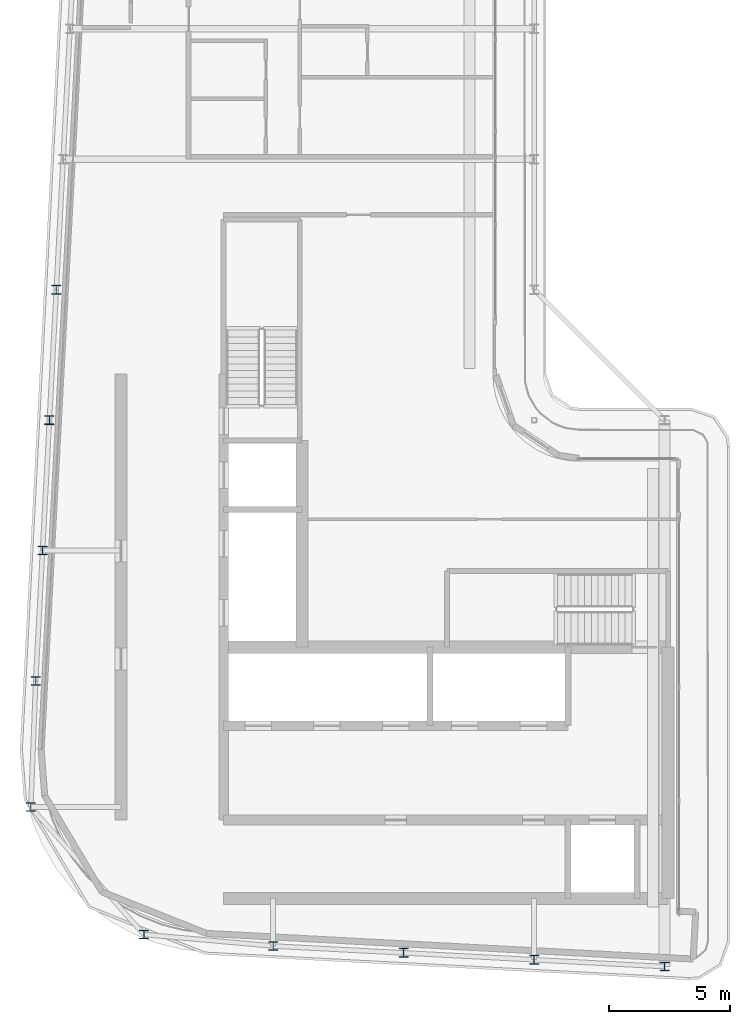
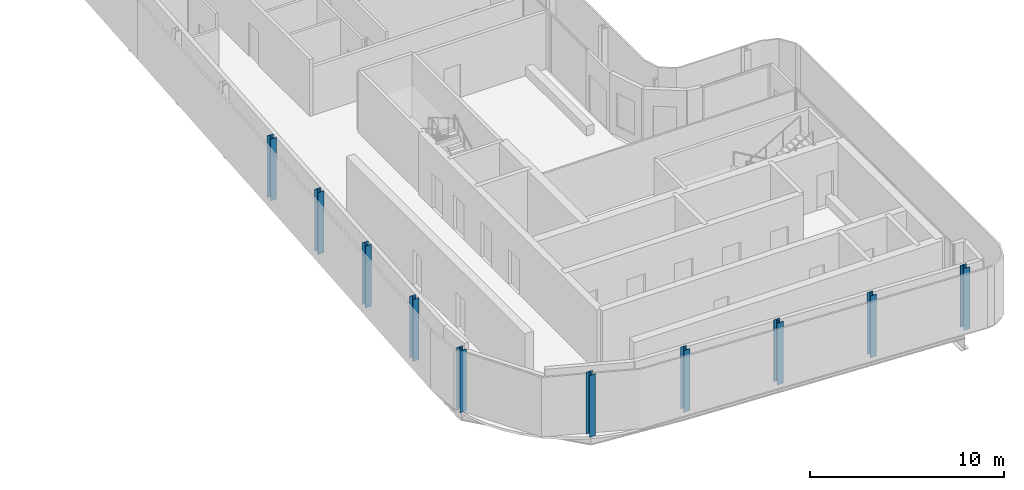
# One storey, part 1 of 18: 10 columns.
"""IFC4 building model written with IfcOpenShell, lengths in metres."""

import ifcopenshell
import ifcopenshell.guid

model = None  # the IFC model being written
_history = None  # IfcOwnerHistory: only IFC2X3 demands one
_inside = {}  # id of a spatial element -> (the spatial element, [elements in it])
_under = {}  # id of a project, library or spatial element -> (it, [spatial elements below it])
_declared = {}  # id of a project -> (the project, [libraries it declares])
_typed = {}  # id of a type object -> (the type object, [elements of that type])
_made_of = {}  # id of a material, layer set ... -> (it, [elements and type objects made of it])


def new_model(schema):
    """Start an empty IFC model of exactly this schema.

    Asked for "IFC4X3", IfcOpenShell would pick the latest addendum, in which some entities
    have other attributes; the version numbers below select the first issue.
    IFC2X3 requires an IfcOwnerHistory on every rooted entity: one is made here for all.
    """
    global model, _history
    if schema == "IFC4X3":
        model = ifcopenshell.file(schema_version=(4, 3, 0, 0))
    else:
        model = ifcopenshell.file(schema=schema)
    _inside.clear()
    _under.clear()
    _declared.clear()
    _typed.clear()
    _made_of.clear()
    _history = None
    if model.schema == "IFC2X3":
        org = make("IfcOrganization", Name="unknown")
        user = make(
            "IfcPersonAndOrganization",
            ThePerson=make("IfcPerson", FamilyName="unknown"),
            TheOrganization=org,
        )
        app = make(
            "IfcApplication",
            ApplicationDeveloper=org,
            Version="unknown",
            ApplicationFullName="unknown",
            ApplicationIdentifier="unknown",
        )
        _history = make(
            "IfcOwnerHistory",
            OwningUser=user,
            OwningApplication=app,
            ChangeAction="ADDED",
            CreationDate=0,
        )
    return model


def make(cls, **values):
    """One entity of the class cls with the attributes given. An attribute that is None is left unset."""
    return model.create_entity(
        cls, **{name: value for name, value in values.items() if value is not None}
    )


def rooted(cls, **values):
    """An entity with a GlobalId (a new one), such as an element, a storey or a relation."""
    return make(cls, GlobalId=ifcopenshell.guid.new(), OwnerHistory=_history, **values)


def si_unit(unit_type, name, prefix=None):
    """IfcSIUnit, for example si_unit("LENGTHUNIT", "METRE", prefix="MILLI")."""
    return make("IfcSIUnit", UnitType=unit_type, Prefix=prefix, Name=name)


def assignment(units):
    """IfcUnitAssignment: the units of a project."""
    return None if units is None else make("IfcUnitAssignment", Units=units)


def point(xyz):
    """IfcCartesianPoint."""
    return None if xyz is None else make("IfcCartesianPoint", Coordinates=xyz)


def direction(xyz):
    """IfcDirection."""
    return None if xyz is None else make("IfcDirection", DirectionRatios=xyz)


def frame(location, z_axis=None, x_axis=None):
    """IfcAxis2Placement3D, a coordinate frame: its origin and axes. An axis left out is left unset."""
    return make(
        "IfcAxis2Placement3D",
        Location=point(location),
        Axis=direction(z_axis),
        RefDirection=direction(x_axis),
    )


def frame_2d(location, x_axis=None):
    """IfcAxis2Placement2D, a coordinate frame in the plane: its origin and x axis."""
    return make(
        "IfcAxis2Placement2D", Location=point(location), RefDirection=direction(x_axis)
    )


def origin():
    """The frame at (0, 0, 0) with its axes left unset."""
    return frame((0.0, 0.0, 0.0))


def origin_2d():
    """The frame at (0, 0) in the plane with its x axis left unset."""
    return frame_2d((0.0, 0.0))


def place(relative_to, where):
    """IfcLocalPlacement: puts the frame where relative to a parent placement (None: the world)."""
    return make(
        "IfcLocalPlacement", PlacementRelTo=relative_to, RelativePlacement=where
    )


def context(
    kind, dimensions, precision=None, world=None, true_north=None, identifier=None
):
    """IfcGeometricRepresentationContext, for example the 3D "Model" context."""
    return make(
        "IfcGeometricRepresentationContext",
        ContextIdentifier=identifier,
        ContextType=kind,
        CoordinateSpaceDimension=dimensions,
        Precision=precision,
        WorldCoordinateSystem=world,
        TrueNorth=true_north,
    )


def subcontext(parent, identifier, kind, view, scale=None):
    """IfcGeometricRepresentationSubContext, for example "Body" below "Model"."""
    return make(
        "IfcGeometricRepresentationSubContext",
        ContextIdentifier=identifier,
        ContextType=kind,
        ParentContext=parent,
        TargetScale=scale,
        TargetView=view,
    )


def project(units=None, contexts=None):
    """IfcProject with its units and contexts."""
    return rooted(
        "IfcProject",
        Name="project",
        RepresentationContexts=contexts,
        UnitsInContext=assignment(units),
    )


def spatial(cls, under=None, at=None, **own):
    """A site, building, storey or space (cls), placed at a placement, below another one or the project."""
    s = rooted(cls, ObjectPlacement=at, **own)
    if under is not None:
        _under.setdefault(under.id(), (under, []))[1].append(s)
    return s


def profile(cls, at=None, kind="AREA", **sizes):
    """A parametric profile (cls). Its sizes go by their IFC names, for example OverallWidth=200.0."""
    return make(cls, ProfileType=kind, Position=at, **sizes)


def i_section(**sizes):
    """IfcIShapeProfileDef."""
    return profile("IfcIShapeProfileDef", **sizes)


def extrude(swept, where, along, depth):
    """IfcExtrudedAreaSolid: the profile swept, set in the frame where, extruded along a direction by depth."""
    return make(
        "IfcExtrudedAreaSolid",
        SweptArea=swept,
        Position=where,
        ExtrudedDirection=direction(along),
        Depth=depth,
    )


def shape(context_of_items, identifier, shape_type, items):
    """IfcShapeRepresentation: the items that make up one representation, for example the "Body"."""
    return make(
        "IfcShapeRepresentation",
        ContextOfItems=context_of_items,
        RepresentationIdentifier=identifier,
        RepresentationType=shape_type,
        Items=items,
    )


def material(Name=None, Category=None):
    """IfcMaterial."""
    return make("IfcMaterial", Name=Name, Category=Category)


def material_profile(
    of_material, cross_section, Name=None, Category=None, Priority=None
):
    """IfcMaterialProfile: a cross section and its material."""
    return make(
        "IfcMaterialProfile",
        Name=Name,
        Material=of_material,
        Profile=cross_section,
        Priority=Priority,
        Category=Category,
    )


def profile_set(profiles, Name=None, composite=None):
    """IfcMaterialProfileSet."""
    return make(
        "IfcMaterialProfileSet",
        Name=Name,
        MaterialProfiles=profiles,
        CompositeProfile=composite,
    )


def made_of(thing, what):
    """Note that an element or type object is made of a material, layer set ...; save() writes the relation."""
    if what is not None:
        _made_of.setdefault(what.id(), (what, []))[1].append(thing)
    return thing


def type_object(cls, material=None, **own):
    """A type object (cls), such as IfcWallType, which elements share."""
    return made_of(rooted(cls, **own), material)


def element(
    cls,
    number,
    at=None,
    inside=None,
    cuts=None,
    type_object=None,
    material=None,
    context=None,
    identifier="Body",
    shape_type=None,
    held_by="IfcProductDefinitionShape",
    body=None,
    shapes=None,
    **own,
):
    """One element of the class cls, such as IfcWall. Its Tag is "e" and its number.

    at: its placement. inside: the storey or other place that contains it. cuts: it is an
    opening in that element (IfcRelVoidsElement). A single representation is given by context,
    identifier, shape_type and body (its items); several are given by shapes. held_by: the class
    of the entity that holds the representations. save() writes the other relations.
    """
    e = rooted(cls, Tag="e%d" % number, ObjectPlacement=at, **own)
    if body is not None:
        shapes = [shape(context, identifier, shape_type, body)]
    if shapes is not None:
        e.Representation = make(held_by, Representations=shapes)
    if inside is not None:
        _inside.setdefault(inside.id(), (inside, []))[1].append(e)
    if cuts is not None:
        rooted(
            "IfcRelVoidsElement", RelatingBuildingElement=cuts, RelatedOpeningElement=e
        )
    if type_object is not None:
        _typed.setdefault(type_object.id(), (type_object, []))[1].append(e)
    return made_of(e, material)


def aggregate(whole, parts):
    """IfcRelAggregates: a whole, such as a stair, and the parts it consists of."""
    return rooted("IfcRelAggregates", RelatingObject=whole, RelatedObjects=parts)


def save(model, path):
    """Write the relations noted so far, then the file.

    IfcRelAggregates (storeys below a building ...), IfcRelContainedInSpatialStructure (elements
    in a storey), IfcRelDefinesByType, IfcRelAssociatesMaterial and IfcRelDeclares: one each for
    every whole, place, type object, material and project.
    """
    for whole, parts in _under.values():
        aggregate(whole, parts)
    for where, things in _inside.values():
        rooted(
            "IfcRelContainedInSpatialStructure",
            RelatedElements=things,
            RelatingStructure=where,
        )
    for kind, things in _typed.values():
        rooted("IfcRelDefinesByType", RelatedObjects=things, RelatingType=kind)
    for what, things in _made_of.values():
        rooted("IfcRelAssociatesMaterial", RelatedObjects=things, RelatingMaterial=what)
    for by, libraries in _declared.values():
        rooted("IfcRelDeclares", RelatingContext=by, RelatedDefinitions=libraries)
    model.write(path)


model = new_model("IFC4")

# Units and contexts
model_context = context("Model", 3, precision=1e-05, world=origin(), true_north=direction((0.0, 1.0)))
body_context = subcontext(model_context, "Body", "Model", "MODEL_VIEW")
ifc_project = project(units=[si_unit("LENGTHUNIT", "METRE"), si_unit("AREAUNIT", "SQUARE_METRE"), si_unit("VOLUMEUNIT", "CUBIC_METRE"), si_unit("PLANEANGLEUNIT", "RADIAN"), si_unit("MASSUNIT", "GRAM", prefix="KILO")], contexts=[model_context])

# Site, building, storey
site_placement = place(None, origin())
site = spatial("IfcSite", under=ifc_project, at=site_placement, CompositionType="ELEMENT")
building_placement = place(site_placement, origin())
building = spatial("IfcBuilding", under=site, at=building_placement, Name="Kheshtan School and Residences Tower", CompositionType="ELEMENT")
storey_placement = place(building_placement, frame((0.0, 0.0, 369.5)))
storey = spatial("IfcBuildingStorey", under=building, at=storey_placement, Name="L87", CompositionType="ELEMENT", Elevation=369.5)

# Columns
ifc_material = material(Name="Steel ASTM A992 Grade 50", Category="steel")
ifc_material_profile = material_profile(ifc_material, i_section(OverallWidth=0.37109375, OverallDepth=0.364013671875, WebThickness=0.01318359375, FlangeThickness=0.021728515625, FilletRadius=0.010986328125, at=origin_2d()), Name="W360x162")
ifc_profile_set = profile_set([ifc_material_profile], Name="Steel ASTM A992 Grade 50")
column_type = type_object("IfcColumnType", Name="Column C6 W360x162 ASTM A992 Grade 50", PredefinedType="COLUMN", material=ifc_profile_set)
for number, where, z_axis, x_axis, name in (
    (1, (53.0, 22.97998046875, 0.0), (0.0, 0.0, 1.0), (1.0, 0.0, 0.0), "Column C019"),
    (2, (47.60009765625, 23.263916015625, 0.0), (0.0, 0.0, 1.0), (1.0, 0.0, 0.0), "Column C020"),
    (3, (42.199951171875, 23.548095703125, 0.0), (0.0, 0.0, 1.0), (1.0, 0.0, 0.0), "Column C021"),
    (4, (36.800048828125, 23.83203125, 0.0), (0.0, 0.0, 1.0), (1.0, 0.0, 0.0), "Column C022"),
    (5, (31.447021484375, 24.31005859375, 0.0), (0.0, 0.0, 1.0), (1.0, 0.0, 0.0), "Column C034"),
    (6, (26.76708984375, 29.58203125, 0.0), (0.0, 0.0, 1.0), (1.0, 0.0, 0.0), "Column C048"),
    (7, (26.968994140625, 34.800048828125, 0.0), (0.0, 0.0, 1.0), (1.0, 0.0, 0.0), "Column C052"),
    (8, (27.2529296875, 40.199951171875, 0.0), (0.0, 0.0, 1.0), (1.0, 0.0, 0.0), "Column C056"),
    (9, (27.537109375, 45.60009765625, 0.0), (0.0, 0.0, 1.0), (1.0, 0.0, 0.0), "Column C059"),
    (10, (27.822021484375, 51.0, 0.0), (0.0, 0.0, 1.0), (1.0, 0.0, 0.0), "Column C078"),
):
    element("IfcColumn", number, at=place(storey_placement, frame(where, z_axis=z_axis, x_axis=x_axis)), inside=storey, type_object=column_type, Name=name, PredefinedType="COLUMN", context=body_context, shape_type="SweptSolid", body=[
        extrude(i_section(OverallWidth=0.37109375, OverallDepth=0.364013671875, WebThickness=0.01318359375, FlangeThickness=0.021728515625, FilletRadius=0.010986328125, at=origin_2d()), origin(), (0.0, 0.0, 1.0), 3.89990234375),
    ])

save(model, "model.ifc")
